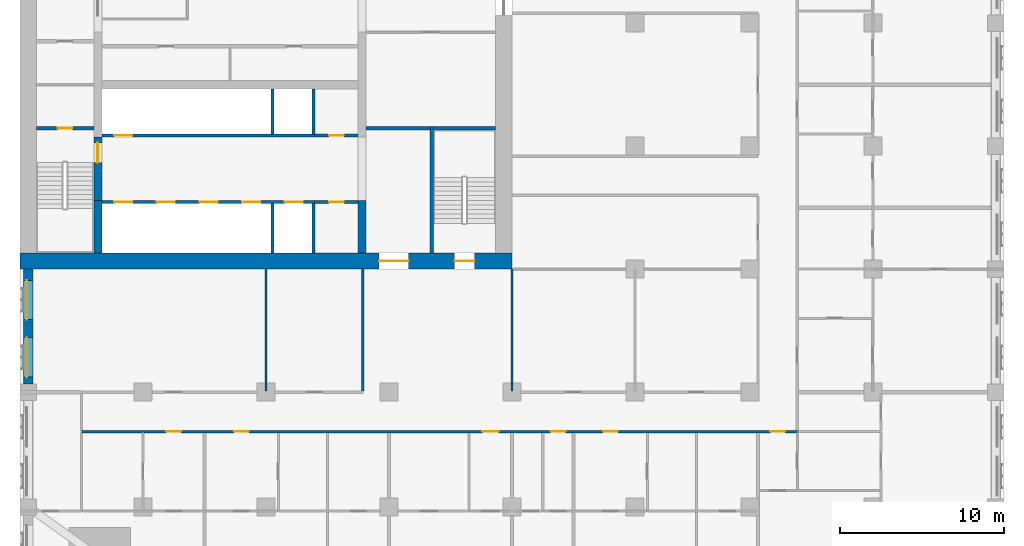
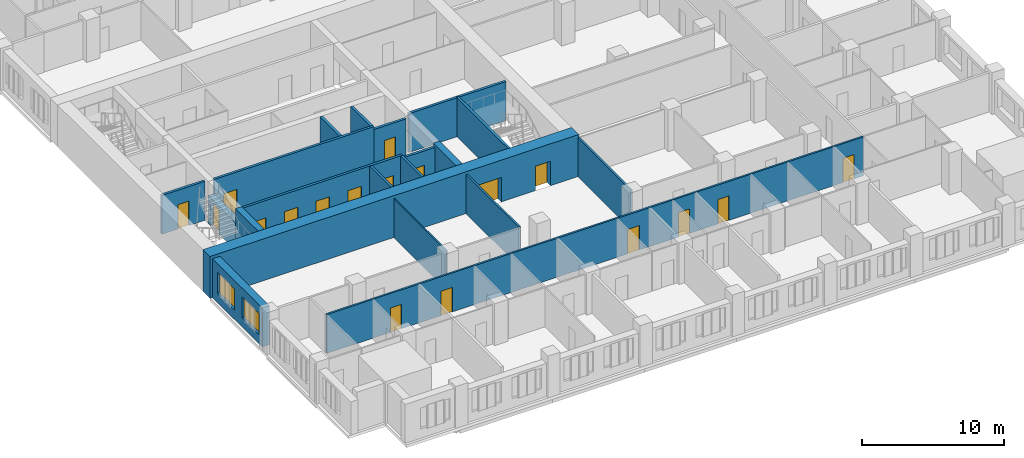
# One storey, part 5 of 14: 20 walls, 18 doors, 2 windows, 20 openings.
"""IFC4 building model written with IfcOpenShell, lengths in metres."""

from ifc_helpers import new_model, si_unit, direction, frame, frame_2d, origin, place, context, subcontext, project, spatial, rectangle, extrude, material, layer, layer_set, type_object, element, fill, save


model = new_model("IFC4")

# Units and contexts
model_context = context("Model", 3, precision=1e-05, world=origin(), true_north=direction((0.0, 1.0)))
body_context = subcontext(model_context, "Body", "Model", "MODEL_VIEW")
ifc_project = project(units=[si_unit("LENGTHUNIT", "METRE"), si_unit("AREAUNIT", "SQUARE_METRE"), si_unit("VOLUMEUNIT", "CUBIC_METRE"), si_unit("PLANEANGLEUNIT", "RADIAN"), si_unit("MASSUNIT", "GRAM", prefix="KILO")], contexts=[model_context])

# Site, building, storey
site_placement = place(None, origin())
site = spatial("IfcSite", under=ifc_project, at=site_placement, CompositionType="ELEMENT")
building_placement = place(site_placement, origin())
building = spatial("IfcBuilding", under=site, at=building_placement, Name="Tamorin Gate", CompositionType="ELEMENT")
storey_placement = place(building_placement, frame((0.0, 0.0, 93.5)))
storey = spatial("IfcBuildingStorey", under=building, at=storey_placement, Name="L22", CompositionType="ELEMENT", Elevation=93.5)

# Wall, openings, windows
ifc_material_1 = material(Name="Precast concrete C40/50", Category="concrete")
ifc_layer_1 = layer(ifc_material_1, 0.60009765625)
ifc_layer_set_1 = layer_set([ifc_layer_1], Name="Precast concrete C40/50")
wall_type_1 = type_object("IfcWallType", Name="Board-marked concrete facade panel 600", PredefinedType="SOLIDWALL", material=ifc_layer_set_1)
wall_1_placement = place(storey_placement, frame((30.5, 60.0, 0.0), z_axis=(0.0, 0.0, 1.0), x_axis=(0.0, -1.0, 0.0)))
wall_1 = element("IfcWall", 1, at=wall_1_placement, inside=storey, type_object=wall_type_1, Name="Facade panel", PredefinedType="SOLIDWALL", context=body_context, shape_type="SweptSolid", body=[
    extrude(rectangle(XDim=7.0, YDim=0.60009765625, at=frame_2d((3.5, 0.0))), origin(), (0.0, 0.0, 1.0), 3.35009765625),
])
opening_1_placement = place(wall_1_placement, frame((4.175048828125, 0.0, 0.800048828125)))
opening_1 = element("IfcOpeningElement", 2, at=opening_1_placement, cuts=wall_1, Name="Opening WN1", PredefinedType="OPENING", context=body_context, shape_type="SweptSolid", body=[
    extrude(rectangle(XDim=2.39990234375, YDim=1.800048828125, at=frame_2d((1.199951171875, 0.89990234375))), frame((0.0, 0.31005859375, 0.0), z_axis=(0.0, -1.0, 0.0), x_axis=(1.0, 0.0, 0.0)), (0.0, 0.0, 1.0), 0.6201171875),
])
opening_2_placement = place(wall_1_placement, frame((0.675048828125, 0.0, 0.800048828125)))
opening_2 = element("IfcOpeningElement", 3, at=opening_2_placement, cuts=wall_1, Name="Opening WN1", PredefinedType="OPENING", context=body_context, shape_type="SweptSolid", body=[
    extrude(rectangle(XDim=2.39990234375, YDim=1.800048828125, at=frame_2d((1.199951171875, 0.89990234375))), frame((0.0, 0.31005859375, 0.0), z_axis=(0.0, -1.0, 0.0), x_axis=(1.0, 0.0, 0.0)), (0.0, 0.0, 1.0), 0.6201171875),
])
ifc_material_2 = material(Name="Clear glass in aluminium frame", Category="aluminium")
window_type = type_object("IfcWindowType", Name="Deep-set window 2400x1800", PartitioningType="SINGLE_PANEL", PredefinedType="WINDOW", material=ifc_material_2)
window_1_placement = place(opening_1_placement, origin())
window_1 = element("IfcWindow", 4, at=window_1_placement, inside=storey, type_object=window_type, Name="Deep-set window", OverallHeight=1.800048828125, OverallWidth=2.39990234375, PartitioningType="SINGLE_PANEL", PredefinedType="WINDOW", context=body_context, shape_type="SweptSolid", body=[
    extrude(rectangle(XDim=2.39990234375, YDim=1.800048828125, at=frame_2d((1.199951171875, 0.89990234375))), frame((0.0, -0.070068359375, 0.0), z_axis=(0.0, -1.0, 0.0), x_axis=(1.0, 0.0, 0.0)), (0.0, 0.0, 1.0), 0.06005859375),
])
fill(opening_1, window_1)
window_2_placement = place(opening_2_placement, origin())
window_2 = element("IfcWindow", 5, at=window_2_placement, inside=storey, type_object=window_type, Name="Deep-set window", OverallHeight=1.800048828125, OverallWidth=2.39990234375, PartitioningType="SINGLE_PANEL", PredefinedType="WINDOW", context=body_context, shape_type="SweptSolid", body=[
    extrude(rectangle(XDim=2.39990234375, YDim=1.800048828125, at=frame_2d((1.199951171875, 0.89990234375))), frame((0.0, -0.070068359375, 0.0), z_axis=(0.0, -1.0, 0.0), x_axis=(1.0, 0.0, 0.0)), (0.0, 0.0, 1.0), 0.06005859375),
])
fill(opening_2, window_2)

# Wall, openings, doors
ifc_material_3 = material(Name="Gypsum board partition")
ifc_layer_2 = layer(ifc_material_3, 0.14990234375)
ifc_layer_set_2 = layer_set([ifc_layer_2], Name="Corridor wall 150")
wall_type_2 = type_object("IfcWallType", Name="Corridor wall 150", PredefinedType="PARTITIONING", material=ifc_layer_set_2)
wall_2_placement = place(storey_placement, frame((33.75, 50.10009765625, 0.0), z_axis=(0.0, 0.0, 1.0), x_axis=(1.0, 0.0, 0.0)))
wall_2 = element("IfcWall", 6, at=wall_2_placement, inside=storey, type_object=wall_type_2, Name="Corridor wall 150", PredefinedType="PARTITIONING", context=body_context, shape_type="SweptSolid", body=[
    extrude(rectangle(XDim=43.64990234375, YDim=0.14990234375, at=frame_2d((21.824951171875, 0.0))), origin(), (0.0, 0.0, 1.0), 3.35009765625),
])
opening_3_placement = place(wall_2_placement, frame((5.175048828125, 0.0, 0.0)))
opening_3 = element("IfcOpeningElement", 7, at=opening_3_placement, cuts=wall_2, Name="Opening DH5003", PredefinedType="OPENING", context=body_context, shape_type="SweptSolid", body=[
    extrude(rectangle(XDim=0.89990234375, YDim=2.10009765625, at=frame_2d((0.449951171875, 1.050048828125))), frame((0.0, 0.0849609375, 0.0), z_axis=(0.0, -1.0, 0.0), x_axis=(1.0, 0.0, 0.0)), (0.0, 0.0, 1.0), 0.169921875),
])
opening_4_placement = place(wall_2_placement, frame((9.300048828125, 0.0, 0.0)))
opening_4 = element("IfcOpeningElement", 8, at=opening_4_placement, cuts=wall_2, Name="Opening DH5005", PredefinedType="OPENING", context=body_context, shape_type="SweptSolid", body=[
    extrude(rectangle(XDim=0.89990234375, YDim=2.10009765625, at=frame_2d((0.449951171875, 1.050048828125))), frame((0.0, 0.0849609375, 0.0), z_axis=(0.0, -1.0, 0.0), x_axis=(1.0, 0.0, 0.0)), (0.0, 0.0, 1.0), 0.169921875),
])
opening_5_placement = place(wall_2_placement, frame((24.4375, 0.0, 0.0)))
opening_5 = element("IfcOpeningElement", 9, at=opening_5_placement, cuts=wall_2, Name="Opening DH5011", PredefinedType="OPENING", context=body_context, shape_type="SweptSolid", body=[
    extrude(rectangle(XDim=1.0, YDim=2.10009765625, at=frame_2d((0.5, 1.050048828125))), frame((0.0, 0.0849609375, 0.0), z_axis=(0.0, -1.0, 0.0), x_axis=(1.0, 0.0, 0.0)), (0.0, 0.0, 1.0), 0.169921875),
])
opening_6_placement = place(wall_2_placement, frame((28.612548828125, 0.0, 0.0)))
opening_6 = element("IfcOpeningElement", 10, at=opening_6_placement, cuts=wall_2, Name="Opening DH5014", PredefinedType="OPENING", context=body_context, shape_type="SweptSolid", body=[
    extrude(rectangle(XDim=0.89990234375, YDim=2.10009765625, at=frame_2d((0.449951171875, 1.050048828125))), frame((0.0, 0.0849609375, 0.0), z_axis=(0.0, -1.0, 0.0), x_axis=(1.0, 0.0, 0.0)), (0.0, 0.0, 1.0), 0.169921875),
])
opening_7_placement = place(wall_2_placement, frame((31.800048828125, 0.0, 0.0)))
opening_7 = element("IfcOpeningElement", 11, at=opening_7_placement, cuts=wall_2, Name="Opening DH5016", PredefinedType="OPENING", context=body_context, shape_type="SweptSolid", body=[
    extrude(rectangle(XDim=0.89990234375, YDim=2.10009765625, at=frame_2d((0.449951171875, 1.050048828125))), frame((0.0, 0.0849609375, 0.0), z_axis=(0.0, -1.0, 0.0), x_axis=(1.0, 0.0, 0.0)), (0.0, 0.0, 1.0), 0.169921875),
])
opening_8_placement = place(wall_2_placement, frame((42.0, 0.0, 0.0)))
opening_8 = element("IfcOpeningElement", 12, at=opening_8_placement, cuts=wall_2, Name="Opening DH5060", PredefinedType="OPENING", context=body_context, shape_type="SweptSolid", body=[
    extrude(rectangle(XDim=0.89990234375, YDim=2.10009765625, at=frame_2d((0.449951171875, 1.050048828125))), frame((0.0, 0.0849609375, 0.0), z_axis=(0.0, -1.0, 0.0), x_axis=(1.0, 0.0, 0.0)), (0.0, 0.0, 1.0), 0.169921875),
])
ifc_material_4 = material(Name="Timber door leaf", Category="wood")
door_type_1 = type_object("IfcDoorType", Name="Door 1000 x 2100 FD30S", OperationType="NOTDEFINED", PredefinedType="DOOR", material=ifc_material_4)
door_1_placement = place(opening_5_placement, origin())
door_1 = element("IfcDoor", 13, at=door_1_placement, inside=storey, type_object=door_type_1, Name="Door DH5011", OperationType="SINGLE_SWING_RIGHT", OverallHeight=2.10009765625, OverallWidth=1.0, PredefinedType="DOOR", context=body_context, shape_type="SweptSolid", body=[
    extrude(rectangle(XDim=1.0, YDim=2.10009765625, at=frame_2d((0.5, 1.050048828125))), frame((0.0, 0.02490234375, 0.0), z_axis=(0.0, -1.0, 0.0), x_axis=(1.0, 0.0, 0.0)), (0.0, 0.0, 1.0), 0.050048828125),
])
fill(opening_5, door_1)
door_type_2 = type_object("IfcDoorType", Name="Door 900 x 2100 FD30S", OperationType="NOTDEFINED", PredefinedType="DOOR", material=ifc_material_4)
door_2_placement = place(opening_3_placement, origin())
door_2 = element("IfcDoor", 14, at=door_2_placement, inside=storey, type_object=door_type_2, Name="Door DH5003", OperationType="SINGLE_SWING_RIGHT", OverallHeight=2.10009765625, OverallWidth=0.89990234375, PredefinedType="DOOR", context=body_context, shape_type="SweptSolid", body=[
    extrude(rectangle(XDim=0.89990234375, YDim=2.10009765625, at=frame_2d((0.449951171875, 1.050048828125))), frame((0.0, 0.02490234375, 0.0), z_axis=(0.0, -1.0, 0.0), x_axis=(1.0, 0.0, 0.0)), (0.0, 0.0, 1.0), 0.050048828125),
])
fill(opening_3, door_2)
door_3_placement = place(opening_4_placement, origin())
door_3 = element("IfcDoor", 15, at=door_3_placement, inside=storey, type_object=door_type_2, Name="Door DH5005", OperationType="SINGLE_SWING_RIGHT", OverallHeight=2.10009765625, OverallWidth=0.89990234375, PredefinedType="DOOR", context=body_context, shape_type="SweptSolid", body=[
    extrude(rectangle(XDim=0.89990234375, YDim=2.10009765625, at=frame_2d((0.449951171875, 1.050048828125))), frame((0.0, 0.02490234375, 0.0), z_axis=(0.0, -1.0, 0.0), x_axis=(1.0, 0.0, 0.0)), (0.0, 0.0, 1.0), 0.050048828125),
])
fill(opening_4, door_3)
door_4_placement = place(opening_6_placement, origin())
door_4 = element("IfcDoor", 16, at=door_4_placement, inside=storey, type_object=door_type_2, Name="Door DH5014", OperationType="SINGLE_SWING_RIGHT", OverallHeight=2.10009765625, OverallWidth=0.89990234375, PredefinedType="DOOR", context=body_context, shape_type="SweptSolid", body=[
    extrude(rectangle(XDim=0.89990234375, YDim=2.10009765625, at=frame_2d((0.449951171875, 1.050048828125))), frame((0.0, 0.02490234375, 0.0), z_axis=(0.0, -1.0, 0.0), x_axis=(1.0, 0.0, 0.0)), (0.0, 0.0, 1.0), 0.050048828125),
])
fill(opening_6, door_4)
door_5_placement = place(opening_7_placement, origin())
door_5 = element("IfcDoor", 17, at=door_5_placement, inside=storey, type_object=door_type_2, Name="Door DH5016", OperationType="SINGLE_SWING_RIGHT", OverallHeight=2.10009765625, OverallWidth=0.89990234375, PredefinedType="DOOR", context=body_context, shape_type="SweptSolid", body=[
    extrude(rectangle(XDim=0.89990234375, YDim=2.10009765625, at=frame_2d((0.449951171875, 1.050048828125))), frame((0.0, 0.02490234375, 0.0), z_axis=(0.0, -1.0, 0.0), x_axis=(1.0, 0.0, 0.0)), (0.0, 0.0, 1.0), 0.050048828125),
])
fill(opening_7, door_5)
door_6_placement = place(opening_8_placement, origin())
door_6 = element("IfcDoor", 18, at=door_6_placement, inside=storey, type_object=door_type_2, Name="Door DH5060", OperationType="SINGLE_SWING_LEFT", OverallHeight=2.10009765625, OverallWidth=0.89990234375, PredefinedType="DOOR", context=body_context, shape_type="SweptSolid", body=[
    extrude(rectangle(XDim=0.89990234375, YDim=2.10009765625, at=frame_2d((0.449951171875, 1.050048828125))), frame((0.0, 0.02490234375, 0.0), z_axis=(0.0, -1.0, 0.0), x_axis=(1.0, 0.0, 0.0)), (0.0, 0.0, 1.0), 0.050048828125),
])
fill(opening_8, door_6)

ifc_material_5 = material(Name="Concrete C32/40", Category="concrete")
ifc_layer_3 = layer(ifc_material_5, 0.199951171875)
ifc_layer_set_3 = layer_set([ifc_layer_3], Name="Lift lobby face wall 200 EI 120")
wall_type_3 = type_object("IfcWallType", Name="Lift lobby face wall 200 EI 120", PredefinedType="SOLIDWALL", material=ifc_layer_set_3)
wall_3_placement = place(storey_placement, frame((35.0, 64.10009765625, 0.0), z_axis=(0.0, 0.0, 1.0), x_axis=(1.0, 0.0, 0.0)))
wall_3 = element("IfcWall", 19, at=wall_3_placement, inside=storey, type_object=wall_type_3, Name="Lift lobby face wall", PredefinedType="SOLIDWALL", context=body_context, shape_type="SweptSolid", body=[
    extrude(rectangle(XDim=13.0, YDim=0.199951171875, at=frame_2d((6.5, 0.0))), origin(), (0.0, 0.0, 1.0), 3.60009765625),
])
opening_9_placement = place(wall_3_placement, frame((0.75, 0.0, 0.0)))
opening_9 = element("IfcOpeningElement", 20, at=opening_9_placement, cuts=wall_3, Name="Opening LD1", PredefinedType="OPENING", context=body_context, shape_type="SweptSolid", body=[
    extrude(rectangle(XDim=1.10009765625, YDim=2.10009765625, at=frame_2d((0.550048828125, 1.050048828125))), frame((0.0, 0.10986328125, 0.0), z_axis=(0.0, -1.0, 0.0), x_axis=(1.0, 0.0, 0.0)), (0.0, 0.0, 1.0), 0.219970703125),
])
opening_10_placement = place(wall_3_placement, frame((3.35009765625, 0.0, 0.0)))
opening_10 = element("IfcOpeningElement", 21, at=opening_10_placement, cuts=wall_3, Name="Opening LD2", PredefinedType="OPENING", context=body_context, shape_type="SweptSolid", body=[
    extrude(rectangle(XDim=1.10009765625, YDim=2.10009765625, at=frame_2d((0.550048828125, 1.050048828125))), frame((0.0, 0.10986328125, 0.0), z_axis=(0.0, -1.0, 0.0), x_axis=(1.0, 0.0, 0.0)), (0.0, 0.0, 1.0), 0.219970703125),
])
opening_11_placement = place(wall_3_placement, frame((5.949951171875, 0.0, 0.0)))
opening_11 = element("IfcOpeningElement", 22, at=opening_11_placement, cuts=wall_3, Name="Opening LD3", PredefinedType="OPENING", context=body_context, shape_type="SweptSolid", body=[
    extrude(rectangle(XDim=1.10009765625, YDim=2.10009765625, at=frame_2d((0.550048828125, 1.050048828125))), frame((0.0, 0.10986328125, 0.0), z_axis=(0.0, -1.0, 0.0), x_axis=(1.0, 0.0, 0.0)), (0.0, 0.0, 1.0), 0.219970703125),
])
opening_12_placement = place(wall_3_placement, frame((8.550048828125, 0.0, 0.0)))
opening_12 = element("IfcOpeningElement", 23, at=opening_12_placement, cuts=wall_3, Name="Opening LD4", PredefinedType="OPENING", context=body_context, shape_type="SweptSolid", body=[
    extrude(rectangle(XDim=1.10009765625, YDim=2.10009765625, at=frame_2d((0.550048828125, 1.050048828125))), frame((0.0, 0.10986328125, 0.0), z_axis=(0.0, -1.0, 0.0), x_axis=(1.0, 0.0, 0.0)), (0.0, 0.0, 1.0), 0.219970703125),
])
opening_13_placement = place(wall_3_placement, frame((11.14990234375, 0.0, 0.0)))
opening_13 = element("IfcOpeningElement", 24, at=opening_13_placement, cuts=wall_3, Name="Opening LD5", PredefinedType="OPENING", context=body_context, shape_type="SweptSolid", body=[
    extrude(rectangle(XDim=1.10009765625, YDim=2.10009765625, at=frame_2d((0.550048828125, 1.050048828125))), frame((0.0, 0.10986328125, 0.0), z_axis=(0.0, -1.0, 0.0), x_axis=(1.0, 0.0, 0.0)), (0.0, 0.0, 1.0), 0.219970703125),
])
ifc_material_6 = material(Name="Stainless steel sliding door", Category="steel")
door_type_3 = type_object("IfcDoorType", Name="Lift landing door 1100 x 2100 E 90", OperationType="DOUBLE_DOOR_SLIDING", PredefinedType="DOOR", material=ifc_material_6)
door_7_placement = place(opening_9_placement, origin())
door_7 = element("IfcDoor", 25, at=door_7_placement, inside=storey, type_object=door_type_3, Name="LR1 landing door", OperationType="DOUBLE_DOOR_SLIDING", OverallHeight=2.10009765625, OverallWidth=1.10009765625, PredefinedType="DOOR", context=body_context, shape_type="SweptSolid", body=[
    extrude(rectangle(XDim=1.10009765625, YDim=2.10009765625, at=frame_2d((0.550048828125, 1.050048828125))), frame((0.0, 0.02490234375, 0.0), z_axis=(0.0, -1.0, 0.0), x_axis=(1.0, 0.0, 0.0)), (0.0, 0.0, 1.0), 0.050048828125),
])
fill(opening_9, door_7)
door_8_placement = place(opening_10_placement, origin())
door_8 = element("IfcDoor", 26, at=door_8_placement, inside=storey, type_object=door_type_3, Name="LR2 landing door", OperationType="DOUBLE_DOOR_SLIDING", OverallHeight=2.10009765625, OverallWidth=1.10009765625, PredefinedType="DOOR", context=body_context, shape_type="SweptSolid", body=[
    extrude(rectangle(XDim=1.10009765625, YDim=2.10009765625, at=frame_2d((0.550048828125, 1.050048828125))), frame((0.0, 0.02490234375, 0.0), z_axis=(0.0, -1.0, 0.0), x_axis=(1.0, 0.0, 0.0)), (0.0, 0.0, 1.0), 0.050048828125),
])
fill(opening_10, door_8)
door_9_placement = place(opening_11_placement, origin())
door_9 = element("IfcDoor", 27, at=door_9_placement, inside=storey, type_object=door_type_3, Name="LR3 landing door", OperationType="DOUBLE_DOOR_SLIDING", OverallHeight=2.10009765625, OverallWidth=1.10009765625, PredefinedType="DOOR", context=body_context, shape_type="SweptSolid", body=[
    extrude(rectangle(XDim=1.10009765625, YDim=2.10009765625, at=frame_2d((0.550048828125, 1.050048828125))), frame((0.0, 0.02490234375, 0.0), z_axis=(0.0, -1.0, 0.0), x_axis=(1.0, 0.0, 0.0)), (0.0, 0.0, 1.0), 0.050048828125),
])
fill(opening_11, door_9)
door_10_placement = place(opening_12_placement, origin())
door_10 = element("IfcDoor", 28, at=door_10_placement, inside=storey, type_object=door_type_3, Name="LR4 landing door", OperationType="DOUBLE_DOOR_SLIDING", OverallHeight=2.10009765625, OverallWidth=1.10009765625, PredefinedType="DOOR", context=body_context, shape_type="SweptSolid", body=[
    extrude(rectangle(XDim=1.10009765625, YDim=2.10009765625, at=frame_2d((0.550048828125, 1.050048828125))), frame((0.0, 0.02490234375, 0.0), z_axis=(0.0, -1.0, 0.0), x_axis=(1.0, 0.0, 0.0)), (0.0, 0.0, 1.0), 0.050048828125),
])
fill(opening_12, door_10)
door_11_placement = place(opening_13_placement, origin())
door_11 = element("IfcDoor", 29, at=door_11_placement, inside=storey, type_object=door_type_3, Name="LR5 landing door", OperationType="DOUBLE_DOOR_SLIDING", OverallHeight=2.10009765625, OverallWidth=1.10009765625, PredefinedType="DOOR", context=body_context, shape_type="SweptSolid", body=[
    extrude(rectangle(XDim=1.10009765625, YDim=2.10009765625, at=frame_2d((0.550048828125, 1.050048828125))), frame((0.0, 0.02490234375, 0.0), z_axis=(0.0, -1.0, 0.0), x_axis=(1.0, 0.0, 0.0)), (0.0, 0.0, 1.0), 0.050048828125),
])
fill(opening_13, door_11)

# Wall, opening, door
wall_4_placement = place(storey_placement, frame((35.0, 68.14990234375, 0.0), z_axis=(0.0, 0.0, 1.0), x_axis=(1.0, 0.0, 0.0)))
wall_4 = element("IfcWall", 30, at=wall_4_placement, inside=storey, type_object=wall_type_3, Name="Lift lobby face wall", PredefinedType="SOLIDWALL", context=body_context, shape_type="SweptSolid", body=[
    extrude(rectangle(XDim=13.0, YDim=0.199951171875, at=frame_2d((6.5, 0.0))), origin(), (0.0, 0.0, 1.0), 3.60009765625),
])
opening_14_placement = place(wall_4_placement, frame((0.75, 0.0, 0.0)))
opening_14 = element("IfcOpeningElement", 31, at=opening_14_placement, cuts=wall_4, Name="Opening LD6", PredefinedType="OPENING", context=body_context, shape_type="SweptSolid", body=[
    extrude(rectangle(XDim=1.10009765625, YDim=2.10009765625, at=frame_2d((0.550048828125, 1.050048828125))), frame((0.0, 0.10986328125, 0.0), z_axis=(0.0, -1.0, 0.0), x_axis=(1.0, 0.0, 0.0)), (0.0, 0.0, 1.0), 0.219970703125),
])
door_12_placement = place(opening_14_placement, origin())
door_12 = element("IfcDoor", 32, at=door_12_placement, inside=storey, type_object=door_type_3, Name="LR6 landing door", OperationType="DOUBLE_DOOR_SLIDING", OverallHeight=2.10009765625, OverallWidth=1.10009765625, PredefinedType="DOOR", context=body_context, shape_type="SweptSolid", body=[
    extrude(rectangle(XDim=1.10009765625, YDim=2.10009765625, at=frame_2d((0.550048828125, 1.050048828125))), frame((0.0, 0.02490234375, 0.0), z_axis=(0.0, -1.0, 0.0), x_axis=(1.0, 0.0, 0.0)), (0.0, 0.0, 1.0), 0.050048828125),
])
fill(opening_14, door_12)

# Walls
ifc_layer_4 = layer(ifc_material_5, 0.199951171875)
ifc_layer_set_4 = layer_set([ifc_layer_4], Name="Lift shaft wall 200 EI 120")
wall_type_4 = type_object("IfcWallType", Name="Lift shaft wall 200 EI 120", PredefinedType="SOLIDWALL", material=ifc_layer_set_4)
for number, where, z_axis, x_axis, name in (
    (33, (45.39990234375, 61.0, 0.0), (0.0, 0.0, 1.0), (0.0, 1.0, 0.0), "Lift shaft wall"),
    (34, (47.89990234375, 61.0, 0.0), (0.0, 0.0, 1.0), (0.0, 1.0, 0.0), "Lift shaft wall"),
):
    element("IfcWall", number, at=place(storey_placement, frame(where, z_axis=z_axis, x_axis=x_axis)), inside=storey, type_object=wall_type_4, Name=name, PredefinedType="SOLIDWALL", context=body_context, shape_type="SweptSolid", body=[
        extrude(rectangle(XDim=3.0, YDim=0.199951171875, at=frame_2d((1.5, 0.0))), origin(), (0.0, 0.0, 1.0), 3.60009765625),
    ])
for number, where, z_axis, x_axis, name in (
    (35, (45.39990234375, 68.25, 0.0), (0.0, 0.0, 1.0), (0.0, 1.0, 0.0), "Lift shaft wall"),
    (36, (47.89990234375, 68.25, 0.0), (0.0, 0.0, 1.0), (0.0, 1.0, 0.0), "Lift shaft wall"),
):
    element("IfcWall", number, at=place(storey_placement, frame(where, z_axis=z_axis, x_axis=x_axis)), inside=storey, type_object=wall_type_4, Name=name, PredefinedType="SOLIDWALL", context=body_context, shape_type="SweptSolid", body=[
        extrude(rectangle(XDim=2.75, YDim=0.199951171875, at=frame_2d((1.375, 0.0))), origin(), (0.0, 0.0, 1.0), 3.60009765625),
    ])
ifc_layer_5 = layer(ifc_material_3, 0.14990234375)
ifc_layer_set_5 = layer_set([ifc_layer_5], Name="Lobby wall 150")
wall_type_5 = type_object("IfcWallType", Name="Lobby wall 150", PredefinedType="PARTITIONING", material=ifc_layer_set_5)
for number, where, z_axis, x_axis, name in (
    (37, (50.89990234375, 52.574951171875, 0.0), (0.0, 0.0, 1.0), (0.0, 1.0, 0.0), "Lobby wall 150"),
    (38, (60.0, 52.574951171875, 0.0), (0.0, 0.0, 1.0), (0.0, 1.0, 0.0), "Lobby wall 150"),
):
    element("IfcWall", number, at=place(storey_placement, frame(where, z_axis=z_axis, x_axis=x_axis)), inside=storey, type_object=wall_type_5, Name=name, PredefinedType="PARTITIONING", context=body_context, shape_type="SweptSolid", body=[
        extrude(rectangle(XDim=7.425048828125, YDim=0.14990234375, at=frame_2d((3.71240234375, 0.0))), origin(), (0.0, 0.0, 1.0), 3.35009765625),
    ])
ifc_material_7 = material(Name="Concrete C80/95", Category="concrete")
ifc_layer_6 = layer(ifc_material_7, 0.5)
ifc_layer_set_6 = layer_set([ifc_layer_6], Name="RC core internal wall 500 C80/95")
wall_type_6 = type_object("IfcWallType", Name="RC core internal wall 500 C80/95", PredefinedType="SHEAR", material=ifc_layer_set_6)
for number, where, z_axis, x_axis, name in (
    (39, (34.75, 61.0, 0.0), (0.0, 0.0, 1.0), (0.0, 1.0, 0.0), "Core cross wall L22"),
    (40, (50.85009765625, 61.0, 0.0), (0.0, 0.0, 1.0), (0.0, 1.0, 0.0), "Core cross wall L22"),
):
    element("IfcWall", number, at=place(storey_placement, frame(where, z_axis=z_axis, x_axis=x_axis)), inside=storey, type_object=wall_type_6, Name=name, PredefinedType="SHEAR", context=body_context, shape_type="SweptSolid", body=[
        extrude(rectangle(XDim=3.199951171875, YDim=0.5, at=frame_2d((1.60009765625, 0.0))), origin(), (0.0, 0.0, 1.0), 3.60009765625),
    ])

# Wall, openings, doors
ifc_layer_7 = layer(ifc_material_7, 1.0)
ifc_layer_set_7 = layer_set([ifc_layer_7], Name="RC core wall 1000 C80/95")
wall_type_7 = type_object("IfcWallType", Name="RC core wall 1000 C80/95", PredefinedType="SHEAR", material=ifc_layer_set_7)
wall_5_placement = place(storey_placement, frame((30.0, 60.5, 0.0), z_axis=(0.0, 0.0, 1.0), x_axis=(1.0, 0.0, 0.0)))
wall_5 = element("IfcWall", 41, at=wall_5_placement, inside=storey, type_object=wall_type_7, Name="Core wall L22", PredefinedType="SHEAR", context=body_context, shape_type="SweptSolid", body=[
    extrude(rectangle(XDim=30.0, YDim=1.0, at=frame_2d((15.0, 0.0))), origin(), (0.0, 0.0, 1.0), 3.60009765625),
])
opening_15_placement = place(wall_5_placement, frame((21.89990234375, 0.0, 0.0)))
opening_15 = element("IfcOpeningElement", 42, at=opening_15_placement, cuts=wall_5, Name="Opening DE1", PredefinedType="OPENING", context=body_context, shape_type="SweptSolid", body=[
    extrude(rectangle(XDim=1.800048828125, YDim=2.10009765625, at=frame_2d((0.89990234375, 1.050048828125))), frame((0.0, 0.510009765625, 0.0), z_axis=(0.0, -1.0, 0.0), x_axis=(1.0, 0.0, 0.0)), (0.0, 0.0, 1.0), 1.02001953125),
])
opening_16_placement = place(wall_5_placement, frame((26.5, 0.0, 0.0)))
opening_16 = element("IfcOpeningElement", 43, at=opening_16_placement, cuts=wall_5, Name="Opening DS1", PredefinedType="OPENING", context=body_context, shape_type="SweptSolid", body=[
    extrude(rectangle(XDim=1.199951171875, YDim=2.10009765625, at=frame_2d((0.60009765625, 1.050048828125))), frame((0.0, 0.510009765625, 0.0), z_axis=(0.0, -1.0, 0.0), x_axis=(1.0, 0.0, 0.0)), (0.0, 0.0, 1.0), 1.02001953125),
])
ifc_material_8 = material(Name="Steel fire door", Category="steel")
door_type_4 = type_object("IfcDoorType", Name="Lobby exit double door 1800 x 2100 EI 60", OperationType="DOUBLE_DOOR_SINGLE_SWING", PredefinedType="DOOR", material=ifc_material_8)
door_13_placement = place(opening_15_placement, origin())
door_13 = element("IfcDoor", 44, at=door_13_placement, inside=storey, type_object=door_type_4, Name="Lift lobby A exit door", OperationType="DOUBLE_DOOR_SINGLE_SWING", OverallHeight=2.10009765625, OverallWidth=1.800048828125, PredefinedType="DOOR", context=body_context, shape_type="SweptSolid", body=[
    extrude(rectangle(XDim=1.800048828125, YDim=2.10009765625, at=frame_2d((0.89990234375, 1.050048828125))), frame((0.0, 0.02490234375, 0.0), z_axis=(0.0, -1.0, 0.0), x_axis=(1.0, 0.0, 0.0)), (0.0, 0.0, 1.0), 0.050048828125),
])
fill(opening_15, door_13)
door_type_5 = type_object("IfcDoorType", Name="Stair door 1200 x 2100 EI 90", OperationType="SINGLE_SWING_LEFT", PredefinedType="DOOR", material=ifc_material_8)
door_14_placement = place(opening_16_placement, origin())
door_14 = element("IfcDoor", 45, at=door_14_placement, inside=storey, type_object=door_type_5, Name="ST3 door", OperationType="SINGLE_SWING_LEFT", OverallHeight=2.10009765625, OverallWidth=1.199951171875, PredefinedType="DOOR", context=body_context, shape_type="SweptSolid", body=[
    extrude(rectangle(XDim=1.199951171875, YDim=2.10009765625, at=frame_2d((0.60009765625, 1.050048828125))), frame((0.0, 0.02490234375, 0.0), z_axis=(0.0, -1.0, 0.0), x_axis=(1.0, 0.0, 0.0)), (0.0, 0.0, 1.0), 0.050048828125),
])
fill(opening_16, door_14)

# Wall
ifc_layer_8 = layer(ifc_material_3, 0.10009765625)
ifc_layer_set_8 = layer_set([ifc_layer_8], Name="Room partition 100")
wall_type_8 = type_object("IfcWallType", Name="Room partition 100", PredefinedType="PARTITIONING", material=ifc_layer_set_8)
wall_6_placement = place(storey_placement, frame((45.0, 52.574951171875, 0.0), z_axis=(0.0, 0.0, 1.0), x_axis=(0.0, 1.0, 0.0)))
element("IfcWall", 46, at=wall_6_placement, inside=storey, type_object=wall_type_8, Name="Room partition 100", PredefinedType="PARTITIONING", context=body_context, shape_type="SweptSolid", body=[
    extrude(rectangle(XDim=7.425048828125, YDim=0.10009765625, at=frame_2d((3.71240234375, 0.0))), origin(), (0.0, 0.0, 1.0), 3.35009765625),
])

# Wall, opening, door
ifc_layer_9 = layer(ifc_material_3, 0.199951171875)
ifc_layer_set_9 = layer_set([ifc_layer_9], Name="Service room face wall 200 EI 60")
wall_type_9 = type_object("IfcWallType", Name="Service room face wall 200 EI 60", PredefinedType="PARTITIONING", material=ifc_layer_set_9)
wall_7_placement = place(storey_placement, frame((48.0, 64.10009765625, 0.0), z_axis=(0.0, 0.0, 1.0), x_axis=(1.0, 0.0, 0.0)))
wall_7 = element("IfcWall", 47, at=wall_7_placement, inside=storey, type_object=wall_type_9, Name="Service room face wall", PredefinedType="PARTITIONING", context=body_context, shape_type="SweptSolid", body=[
    extrude(rectangle(XDim=2.60009765625, YDim=0.199951171875, at=frame_2d((1.300048828125, 0.0))), origin(), (0.0, 0.0, 1.0), 3.35009765625),
])
opening_17_placement = place(wall_7_placement, frame((0.85009765625, 0.0, 0.0)))
opening_17 = element("IfcOpeningElement", 48, at=opening_17_placement, cuts=wall_7, Name="Opening DK1", PredefinedType="OPENING", context=body_context, shape_type="SweptSolid", body=[
    extrude(rectangle(XDim=0.89990234375, YDim=2.10009765625, at=frame_2d((0.449951171875, 1.050048828125))), frame((0.0, 0.10986328125, 0.0), z_axis=(0.0, -1.0, 0.0), x_axis=(1.0, 0.0, 0.0)), (0.0, 0.0, 1.0), 0.219970703125),
])
ifc_material_9 = material(Name="Timber fire door", Category="wood")
door_type_6 = type_object("IfcDoorType", Name="Service room door 900 x 2100 EI 60", OperationType="SINGLE_SWING_LEFT", PredefinedType="DOOR", material=ifc_material_9)
door_15_placement = place(opening_17_placement, origin())
door_15 = element("IfcDoor", 49, at=door_15_placement, inside=storey, type_object=door_type_6, Name="Door Pantry", OperationType="SINGLE_SWING_RIGHT", OverallHeight=2.10009765625, OverallWidth=0.89990234375, PredefinedType="DOOR", context=body_context, shape_type="SweptSolid", body=[
    extrude(rectangle(XDim=0.89990234375, YDim=2.10009765625, at=frame_2d((0.449951171875, 1.050048828125))), frame((0.0, 0.02490234375, 0.0), z_axis=(0.0, -1.0, 0.0), x_axis=(1.0, 0.0, 0.0)), (0.0, 0.0, 1.0), 0.050048828125),
])
fill(opening_17, door_15)

wall_8_placement = place(storey_placement, frame((48.0, 68.14990234375, 0.0), z_axis=(0.0, 0.0, 1.0), x_axis=(1.0, 0.0, 0.0)))
wall_8 = element("IfcWall", 50, at=wall_8_placement, inside=storey, type_object=wall_type_9, Name="Service room face wall", PredefinedType="PARTITIONING", context=body_context, shape_type="SweptSolid", body=[
    extrude(rectangle(XDim=2.60009765625, YDim=0.199951171875, at=frame_2d((1.300048828125, 0.0))), origin(), (0.0, 0.0, 1.0), 3.35009765625),
])
opening_18_placement = place(wall_8_placement, frame((0.85009765625, 0.0, 0.0)))
opening_18 = element("IfcOpeningElement", 51, at=opening_18_placement, cuts=wall_8, Name="Opening DK1", PredefinedType="OPENING", context=body_context, shape_type="SweptSolid", body=[
    extrude(rectangle(XDim=0.89990234375, YDim=2.10009765625, at=frame_2d((0.449951171875, 1.050048828125))), frame((0.0, 0.10986328125, 0.0), z_axis=(0.0, -1.0, 0.0), x_axis=(1.0, 0.0, 0.0)), (0.0, 0.0, 1.0), 0.219970703125),
])
door_16_placement = place(opening_18_placement, origin())
door_16 = element("IfcDoor", 52, at=door_16_placement, inside=storey, type_object=door_type_6, Name="Door Housekeeping store", OperationType="SINGLE_SWING_RIGHT", OverallHeight=2.10009765625, OverallWidth=0.89990234375, PredefinedType="DOOR", context=body_context, shape_type="SweptSolid", body=[
    extrude(rectangle(XDim=0.89990234375, YDim=2.10009765625, at=frame_2d((0.449951171875, 1.050048828125))), frame((0.0, 0.02490234375, 0.0), z_axis=(0.0, -1.0, 0.0), x_axis=(1.0, 0.0, 0.0)), (0.0, 0.0, 1.0), 0.050048828125),
])
fill(opening_18, door_16)

ifc_material_10 = material(Name="Concrete C40/50", Category="concrete")
ifc_layer_10 = layer(ifc_material_10, 0.199951171875)
ifc_layer_set_10 = layer_set([ifc_layer_10], Name="Stair enclosure wall 200 EI 120 C40/50")
wall_type_10 = type_object("IfcWallType", Name="Stair enclosure wall 200 EI 120 C40/50", PredefinedType="SOLIDWALL", material=ifc_layer_set_10)
wall_9_placement = place(storey_placement, frame((31.0, 68.60009765625, 0.0), z_axis=(0.0, 0.0, 1.0), x_axis=(1.0, 0.0, 0.0)))
wall_9 = element("IfcWall", 53, at=wall_9_placement, inside=storey, type_object=wall_type_10, Name="Stair enclosure wall", PredefinedType="SOLIDWALL", context=body_context, shape_type="SweptSolid", body=[
    extrude(rectangle(XDim=3.5, YDim=0.199951171875, at=frame_2d((1.75, 0.0))), origin(), (0.0, 0.0, 1.0), 3.35009765625),
])
opening_19_placement = place(wall_9_placement, frame((1.300048828125, 0.0, 0.0)))
opening_19 = element("IfcOpeningElement", 54, at=opening_19_placement, cuts=wall_9, Name="Opening DR1", PredefinedType="OPENING", context=body_context, shape_type="SweptSolid", body=[
    extrude(rectangle(XDim=0.89990234375, YDim=2.10009765625, at=frame_2d((0.449951171875, 1.050048828125))), frame((0.0, 0.10986328125, 0.0), z_axis=(0.0, -1.0, 0.0), x_axis=(1.0, 0.0, 0.0)), (0.0, 0.0, 1.0), 0.219970703125),
])
door_type_7 = type_object("IfcDoorType", Name="Riser access door 900 x 2100 EI 120", OperationType="SINGLE_SWING_LEFT", PredefinedType="DOOR", material=ifc_material_8)
door_17_placement = place(opening_19_placement, origin())
door_17 = element("IfcDoor", 55, at=door_17_placement, inside=storey, type_object=door_type_7, Name="Electrical riser door", OperationType="SINGLE_SWING_LEFT", OverallHeight=2.10009765625, OverallWidth=0.89990234375, PredefinedType="DOOR", context=body_context, shape_type="SweptSolid", body=[
    extrude(rectangle(XDim=0.89990234375, YDim=2.10009765625, at=frame_2d((0.449951171875, 1.050048828125))), frame((0.0, 0.02490234375, 0.0), z_axis=(0.0, -1.0, 0.0), x_axis=(1.0, 0.0, 0.0)), (0.0, 0.0, 1.0), 0.050048828125),
])
fill(opening_19, door_17)

# Walls
wall_10_placement = place(storey_placement, frame((55.10009765625, 61.0, 0.0), z_axis=(0.0, 0.0, 1.0), x_axis=(0.0, 1.0, 0.0)))
element("IfcWall", 56, at=wall_10_placement, inside=storey, type_object=wall_type_10, Name="Stair enclosure wall", PredefinedType="SOLIDWALL", context=body_context, shape_type="SweptSolid", body=[
    extrude(rectangle(XDim=7.60009765625, YDim=0.199951171875, at=frame_2d((3.800048828125, 0.0))), origin(), (0.0, 0.0, 1.0), 3.35009765625),
])
wall_11_placement = place(storey_placement, frame((51.10009765625, 68.60009765625, 0.0), z_axis=(0.0, 0.0, 1.0), x_axis=(1.0, 0.0, 0.0)))
element("IfcWall", 57, at=wall_11_placement, inside=storey, type_object=wall_type_10, Name="Stair enclosure wall", PredefinedType="SOLIDWALL", context=body_context, shape_type="SweptSolid", body=[
    extrude(rectangle(XDim=7.89990234375, YDim=0.199951171875, at=frame_2d((3.949951171875, 0.0))), origin(), (0.0, 0.0, 1.0), 3.35009765625),
])

# Wall, opening, door
ifc_layer_11 = layer(ifc_material_5, 0.5)
ifc_layer_set_11 = layer_set([ifc_layer_11], Name="Stair lobby infill wall 500 EI 120")
wall_type_11 = type_object("IfcWallType", Name="Stair lobby infill wall 500 EI 120", PredefinedType="SOLIDWALL", material=ifc_layer_set_11)
wall_12_placement = place(storey_placement, frame((34.75, 64.199951171875, 0.0), z_axis=(0.0, 0.0, 1.0), x_axis=(0.0, 1.0, 0.0)))
wall_12 = element("IfcWall", 58, at=wall_12_placement, inside=storey, type_object=wall_type_11, Name="Stair lobby infill wall", PredefinedType="SOLIDWALL", context=body_context, shape_type="SweptSolid", body=[
    extrude(rectangle(XDim=3.85009765625, YDim=0.5, at=frame_2d((1.925048828125, 0.0))), origin(), (0.0, 0.0, 1.0), 2.39990234375),
])
opening_20_placement = place(wall_12_placement, frame((2.300048828125, 0.0, 0.0)))
opening_20 = element("IfcOpeningElement", 59, at=opening_20_placement, cuts=wall_12, Name="Opening DS1", PredefinedType="OPENING", context=body_context, shape_type="SweptSolid", body=[
    extrude(rectangle(XDim=1.199951171875, YDim=2.10009765625, at=frame_2d((0.60009765625, 1.050048828125))), frame((0.0, 0.260009765625, 0.0), z_axis=(0.0, -1.0, 0.0), x_axis=(1.0, 0.0, 0.0)), (0.0, 0.0, 1.0), 0.52001953125),
])
door_18_placement = place(opening_20_placement, origin())
door_18 = element("IfcDoor", 60, at=door_18_placement, inside=storey, type_object=door_type_5, Name="ST1 door", OperationType="SINGLE_SWING_LEFT", OverallHeight=2.10009765625, OverallWidth=1.199951171875, PredefinedType="DOOR", context=body_context, shape_type="SweptSolid", body=[
    extrude(rectangle(XDim=1.199951171875, YDim=2.10009765625, at=frame_2d((0.60009765625, 1.050048828125))), frame((0.0, 0.02490234375, 0.0), z_axis=(0.0, -1.0, 0.0), x_axis=(1.0, 0.0, 0.0)), (0.0, 0.0, 1.0), 0.050048828125),
])
fill(opening_20, door_18)

save(model, "model.ifc")
